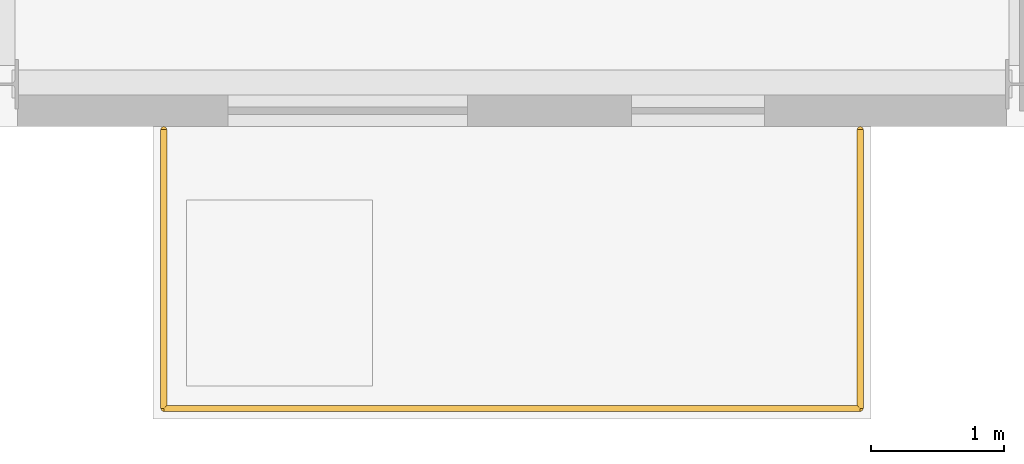
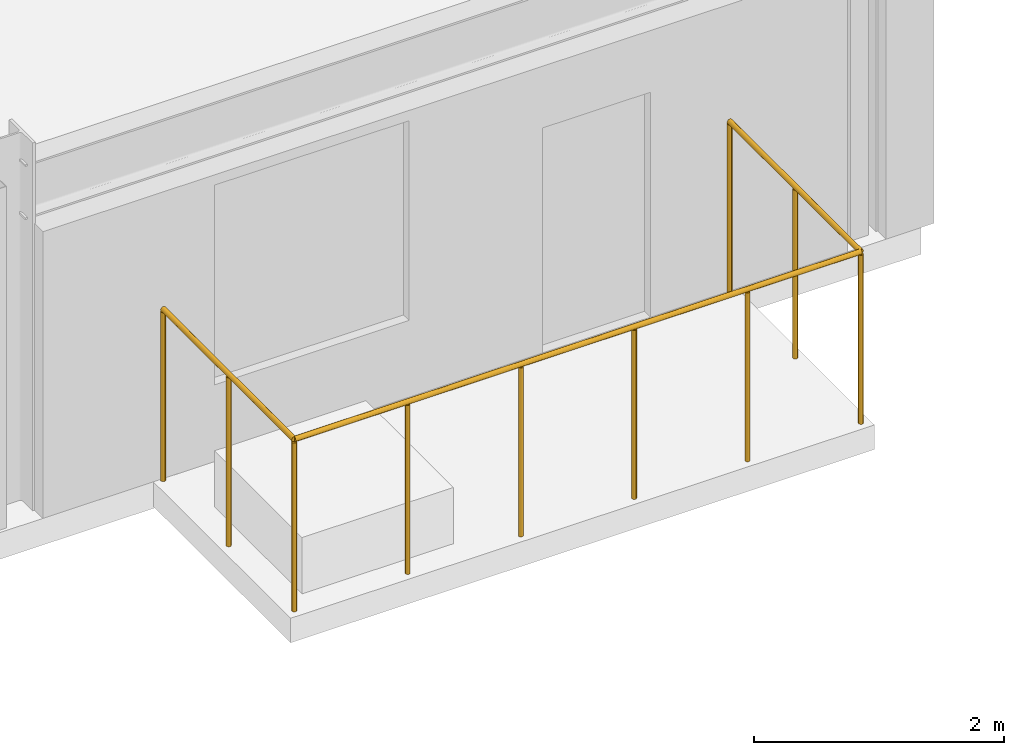
# One storey, part 32 of 32: 1 railing.
"""IFC4 building model written with IfcOpenShell, lengths in metres."""

from ifc_helpers import new_model, si_unit, direction, frame, origin, origin_2d, place, context, subcontext, project, spatial, circle, extrude, material, type_object, element, save


model = new_model("IFC4")

# Units and contexts
model_context = context("Model", 3, precision=1e-05, world=origin(), true_north=direction((0.0, 1.0)))
body_context = subcontext(model_context, "Body", "Model", "MODEL_VIEW")
ifc_project = project(units=[si_unit("LENGTHUNIT", "METRE"), si_unit("AREAUNIT", "SQUARE_METRE"), si_unit("VOLUMEUNIT", "CUBIC_METRE"), si_unit("PLANEANGLEUNIT", "RADIAN"), si_unit("MASSUNIT", "GRAM", prefix="KILO")], contexts=[model_context])

# Site, building, storey
site_placement = place(None, origin())
site = spatial("IfcSite", under=ifc_project, at=site_placement, CompositionType="ELEMENT")
building_placement = place(site_placement, origin())
building = spatial("IfcBuilding", under=site, at=building_placement, Name="Drelvath Grand Hotel", CompositionType="ELEMENT")
storey_placement = place(building_placement, frame((0.0, 0.0, 237.5)))
storey = spatial("IfcBuildingStorey", under=building, at=storey_placement, Name="L62", CompositionType="ELEMENT", Elevation=237.5)

# Railing
ifc_material = material(Name="Anodised Aluminium and Laminated Glass Balustrade", Category="aluminium")
railing_type = type_object("IfcRailingType", Name="Raised Planter Edge Balustrade 1700", PredefinedType="BALUSTRADE", material=ifc_material)
railing_placement = place(storey_placement, frame((9.679931640625, -0.02001953125, 0.0)))
element("IfcRailing", 1, at=railing_placement, inside=storey, type_object=railing_type, Name="L62 Tree Balcony Perimeter Balustrade 1", PredefinedType="BALUSTRADE", context=body_context, shape_type="SweptSolid", body=[
    extrude(circle(Radius=0.02392578125, at=origin_2d()), frame((0.0, 0.0, 1.67578125), z_axis=(0.0, -1.0, 0.0), x_axis=(1.0, 0.0, 0.0)), (0.0, 0.0, 1.0), 2.10009765625),
    extrude(circle(Radius=0.02392578125, at=origin_2d()), frame((0.0, -2.10009765625, 1.67578125), z_axis=(1.0, 0.0, 0.0), x_axis=(0.0, 1.0, 0.0)), (0.0, 0.0, 1.0), 5.239990234375),
    extrude(circle(Radius=0.02392578125, at=origin_2d()), frame((5.239990234375, -2.10009765625, 1.67578125), z_axis=(0.0, 1.0, 0.0), x_axis=(-1.0, 0.0, 0.0)), (0.0, 0.0, 1.0), 2.10009765625),
    extrude(circle(Radius=0.02099609375, at=origin_2d()), origin(), (0.0, 0.0, 1.0), 1.65185546875),
    extrude(circle(Radius=0.02099609375, at=origin_2d()), frame((0.0, -1.050048828125, 0.0)), (0.0, 0.0, 1.0), 1.65185546875),
    extrude(circle(Radius=0.02099609375, at=origin_2d()), frame((0.0, -2.10009765625, 0.0)), (0.0, 0.0, 1.0), 1.65185546875),
    extrude(circle(Radius=0.02099609375, at=origin_2d()), frame((1.048095703125, -2.10009765625, 0.0)), (0.0, 0.0, 1.0), 1.65185546875),
    extrude(circle(Radius=0.02099609375, at=origin_2d()), frame((2.095947265625, -2.10009765625, 0.0)), (0.0, 0.0, 1.0), 1.65185546875),
    extrude(circle(Radius=0.02099609375, at=origin_2d()), frame((3.14404296875, -2.10009765625, 0.0)), (0.0, 0.0, 1.0), 1.65185546875),
    extrude(circle(Radius=0.02099609375, at=origin_2d()), frame((4.19189453125, -2.10009765625, 0.0)), (0.0, 0.0, 1.0), 1.65185546875),
    extrude(circle(Radius=0.02099609375, at=origin_2d()), frame((5.239990234375, -2.10009765625, 0.0)), (0.0, 0.0, 1.0), 1.65185546875),
    extrude(circle(Radius=0.02099609375, at=origin_2d()), frame((5.239990234375, -1.050048828125, 0.0)), (0.0, 0.0, 1.0), 1.65185546875),
    extrude(circle(Radius=0.02099609375, at=origin_2d()), frame((5.239990234375, 0.0, 0.0)), (0.0, 0.0, 1.0), 1.65185546875),
])

save(model, "model.ifc")
